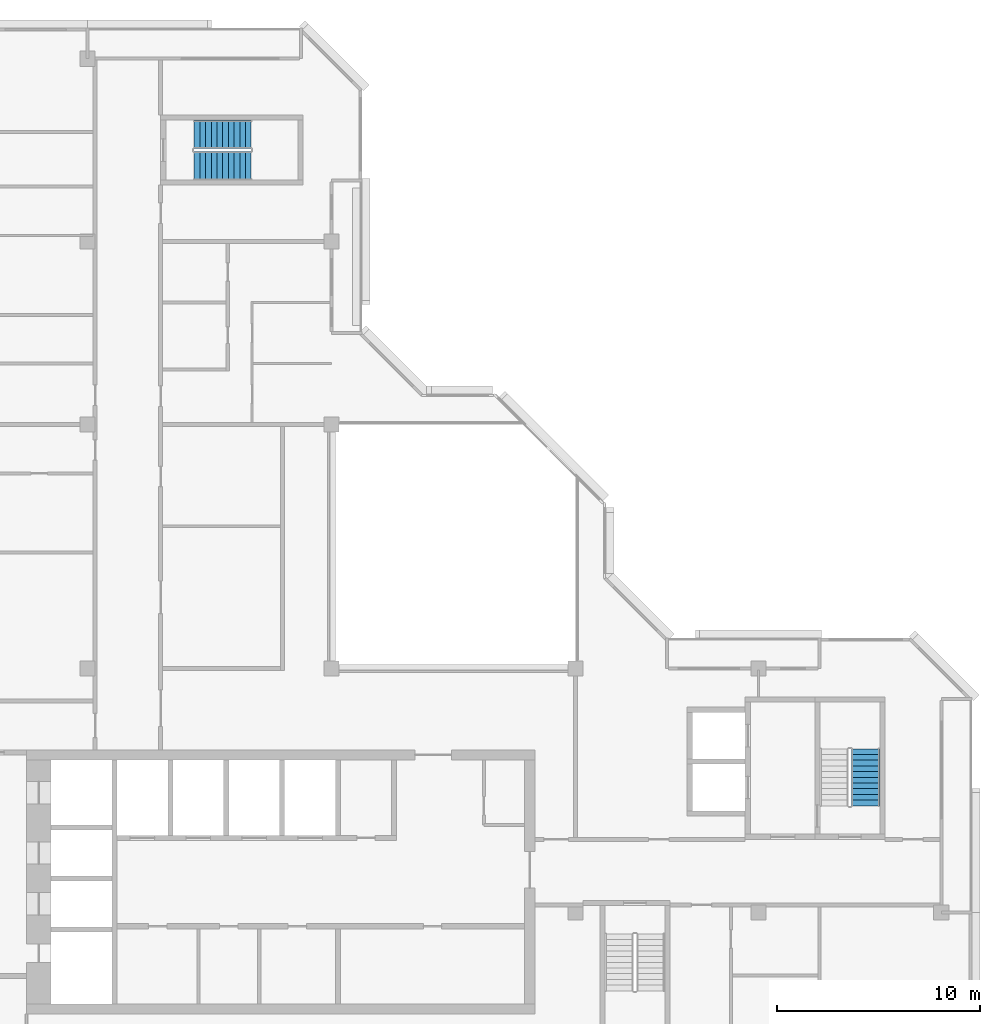
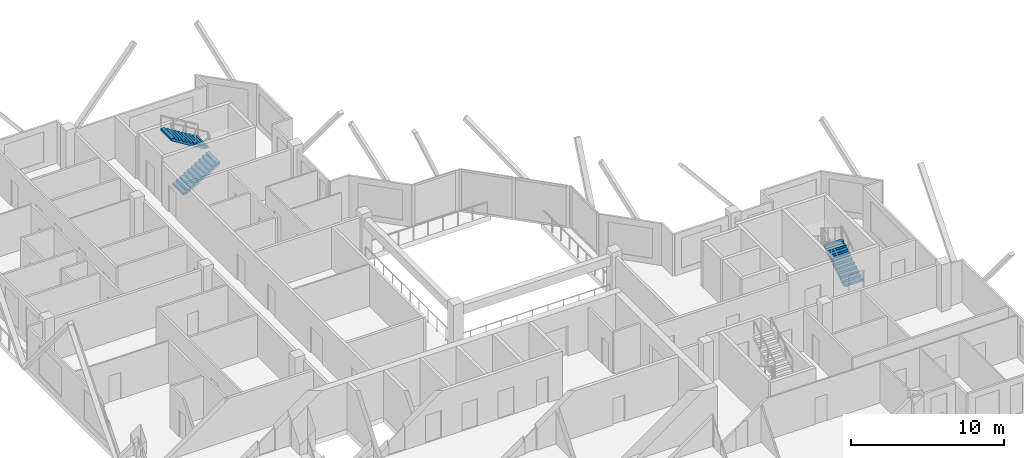
# One storey, part 10 of 12: 3 stair flights, 2 elements without a shape of their own.
"""IFC4 building model written with IfcOpenShell, lengths in metres."""

from ifc_helpers import new_model, si_unit, direction, frame, origin, place, context, subcontext, project, spatial, polyline, outline, extrude, material, type_object, element, aggregate, save


model = new_model("IFC4")

# Units and contexts
model_context = context("Model", 3, precision=1e-05, world=origin(), true_north=direction((0.0, 1.0)))
body_context = subcontext(model_context, "Body", "Model", "MODEL_VIEW")
ifc_project = project(units=[si_unit("LENGTHUNIT", "METRE"), si_unit("AREAUNIT", "SQUARE_METRE"), si_unit("VOLUMEUNIT", "CUBIC_METRE"), si_unit("PLANEANGLEUNIT", "RADIAN"), si_unit("MASSUNIT", "GRAM", prefix="KILO")], contexts=[model_context])

# Site, building, storey
site_placement = place(None, origin())
site = spatial("IfcSite", under=ifc_project, at=site_placement, CompositionType="ELEMENT")
building_placement = place(site_placement, origin())
building = spatial("IfcBuilding", under=site, at=building_placement, Name="Chenar Terraces", CompositionType="ELEMENT")
storey_placement = place(building_placement, frame((0.0, 0.0, 346.39990234375)))
storey = spatial("IfcBuildingStorey", under=building, at=storey_placement, Name="L80", CompositionType="ELEMENT", Elevation=346.39990234375)

# Stair, stair flight
ifc_material_1 = material(Name="Reinforced concrete C40/50", Category="concrete")
stair_type = type_object("IfcStairType", Name="Core stair 1400 half-turn", PredefinedType="HALF_TURN_STAIR", material=ifc_material_1)
placement = place(storey_placement, origin())
stair_1 = element("IfcStair", 1, at=placement, inside=storey, type_object=stair_type, Name="L80 Stair 3", PredefinedType="HALF_TURN_STAIR")
ifc_material_2 = material(Name="Reinforced concrete C40/50", Category="concrete")
stair_flight_type = type_object("IfcStairFlightType", Name="Core stair flight 1400", PredefinedType="STRAIGHT", material=ifc_material_2)
stair_flight_1_placement = place(storey_placement, frame((50.27490234375, 17.25, 0.0), z_axis=(0.0, 0.0, 1.0), x_axis=(0.0, 1.0, 0.0)))
stair_flight_1 = element("IfcStairFlight", 2, at=stair_flight_1_placement, type_object=stair_flight_type, Name="ST3 flight 1", NumberOfRisers=11, NumberOfTreads=10, PredefinedType="STRAIGHT", RiserHeight=0.170454545, TreadLength=0.28, context=body_context, shape_type="SweptSolid", body=[
    extrude(outline(polyline([(-0.0029296875, 0.0), (-0.0029296875, 0.17041015625), (0.0, 0.17041015625), (0.280029296875, 0.17041015625), (0.280029296875, 0.3408203125), (0.56005859375, 0.3408203125), (0.56005859375, 0.511474609375), (0.840087890625, 0.511474609375), (0.840087890625, 0.681884765625), (1.1201171875, 0.681884765625), (1.1201171875, 0.852294921875), (1.39990234375, 0.852294921875), (1.39990234375, 1.022705078125), (1.679931640625, 1.022705078125), (1.679931640625, 1.193115234375), (1.9599609375, 1.193115234375), (1.9599609375, 1.363525390625), (2.239990234375, 1.363525390625), (2.239990234375, 1.5341796875), (2.52001953125, 1.5341796875), (2.52001953125, 1.70458984375), (2.800048828125, 1.70458984375), (2.802978515625, 1.70458984375), (2.802978515625, 1.529052734375), (2.800048828125, 1.529052734375), (0.288330078125, 0.0), (-0.0029296875, 0.0)])), frame((0.0, 0.699951171875, 0.0), z_axis=(0.0, -1.0, 0.0), x_axis=(1.0, 0.0, 0.0)), (0.0, 0.0, 1.0), 1.39990234375),
])
aggregate(stair_1, [stair_flight_1])

# Stair, stair flights
stair_2 = element("IfcStair", 3, at=placement, inside=storey, type_object=stair_type, Name="L80 Stair 4", PredefinedType="HALF_TURN_STAIR")
stair_flight_2_placement = place(storey_placement, frame((17.25, 48.72509765625, 0.0), z_axis=(0.0, 0.0, 1.0), x_axis=(1.0, 0.0, 0.0)))
stair_flight_2 = element("IfcStairFlight", 4, at=stair_flight_2_placement, type_object=stair_flight_type, Name="ST4 flight 1", NumberOfRisers=11, NumberOfTreads=10, PredefinedType="STRAIGHT", RiserHeight=0.170454545, TreadLength=0.28, context=body_context, shape_type="SweptSolid", body=[
    extrude(outline(polyline([(-0.0029296875, 0.0), (-0.0029296875, 0.17041015625), (0.0, 0.17041015625), (0.280029296875, 0.17041015625), (0.280029296875, 0.3408203125), (0.56005859375, 0.3408203125), (0.56005859375, 0.511474609375), (0.840087890625, 0.511474609375), (0.840087890625, 0.681884765625), (1.1201171875, 0.681884765625), (1.1201171875, 0.852294921875), (1.39990234375, 0.852294921875), (1.39990234375, 1.022705078125), (1.679931640625, 1.022705078125), (1.679931640625, 1.193115234375), (1.9599609375, 1.193115234375), (1.9599609375, 1.363525390625), (2.239990234375, 1.363525390625), (2.239990234375, 1.5341796875), (2.52001953125, 1.5341796875), (2.52001953125, 1.70458984375), (2.800048828125, 1.70458984375), (2.802978515625, 1.70458984375), (2.802978515625, 1.529052734375), (2.800048828125, 1.529052734375), (0.288330078125, 0.0), (-0.0029296875, 0.0)])), frame((0.0, 0.699951171875, 0.0), z_axis=(0.0, -1.0, 0.0), x_axis=(1.0, 0.0, 0.0)), (0.0, 0.0, 1.0), 1.39990234375),
])
stair_flight_3_placement = place(storey_placement, frame((20.050048828125, 50.27490234375, 1.875), z_axis=(0.0, 0.0, 1.0), x_axis=(-1.0, 0.0, 0.0)))
stair_flight_3 = element("IfcStairFlight", 5, at=stair_flight_3_placement, type_object=stair_flight_type, Name="ST4 flight 2", NumberOfRisers=11, NumberOfTreads=10, PredefinedType="STRAIGHT", RiserHeight=0.170454545, TreadLength=0.28, context=body_context, shape_type="SweptSolid", body=[
    extrude(outline(polyline([(-0.0029296875, 0.0), (-0.0029296875, 0.17041015625), (0.0, 0.17041015625), (0.280029296875, 0.17041015625), (0.280029296875, 0.3408203125), (0.56005859375, 0.3408203125), (0.56005859375, 0.511474609375), (0.840087890625, 0.511474609375), (0.840087890625, 0.681884765625), (1.1201171875, 0.681884765625), (1.1201171875, 0.852294921875), (1.39990234375, 0.852294921875), (1.39990234375, 1.022705078125), (1.679931640625, 1.022705078125), (1.679931640625, 1.193115234375), (1.9599609375, 1.193115234375), (1.9599609375, 1.363525390625), (2.239990234375, 1.363525390625), (2.239990234375, 1.5341796875), (2.52001953125, 1.5341796875), (2.52001953125, 1.70458984375), (2.800048828125, 1.70458984375), (2.802978515625, 1.70458984375), (2.802978515625, 1.529052734375), (2.800048828125, 1.529052734375), (0.288330078125, 0.0), (-0.0029296875, 0.0)])), frame((0.0, 0.699951171875, 0.0), z_axis=(0.0, -1.0, 0.0), x_axis=(1.0, 0.0, 0.0)), (0.0, 0.0, 1.0), 1.39990234375),
])
aggregate(stair_2, [stair_flight_2, stair_flight_3])

save(model, "model.ifc")
